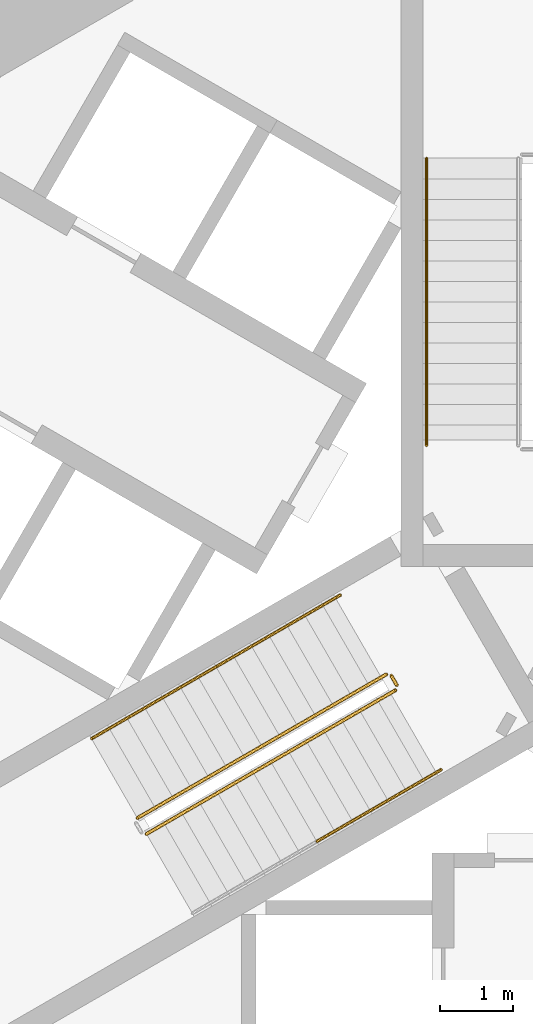
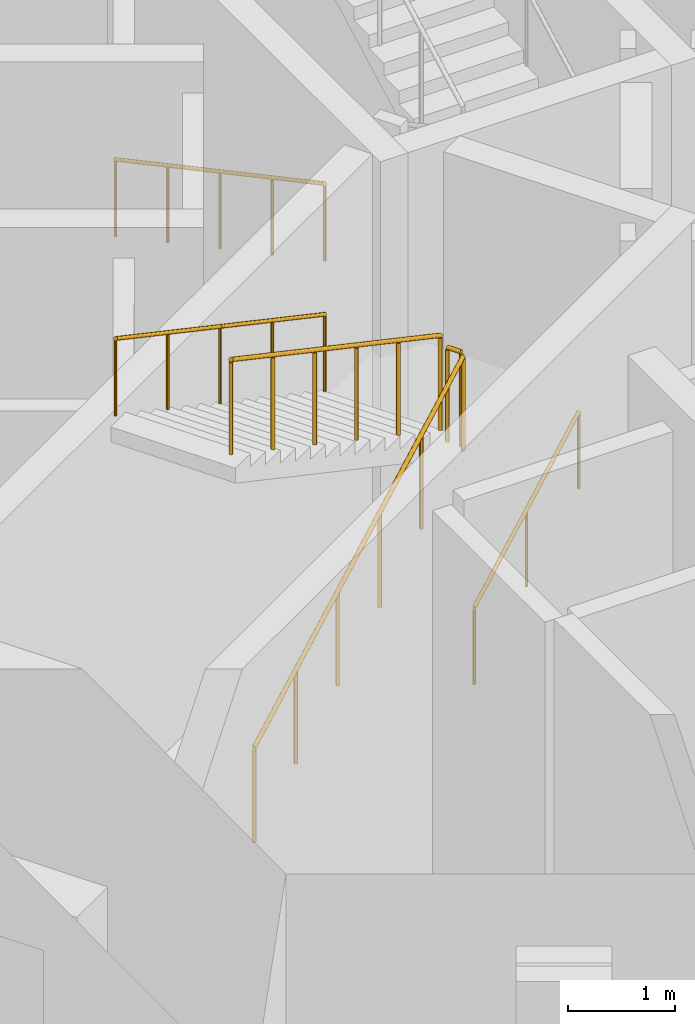
# One storey, part 24 of 28: 7 railings.
"""IFC4 building model written with IfcOpenShell, lengths in metres."""

from ifc_helpers import new_model, si_unit, direction, frame, origin, origin_2d, place, context, subcontext, project, spatial, circle, extrude, material, type_object, element, save


model = new_model("IFC4")

# Units and contexts
model_context = context("Model", 3, precision=1e-05, world=origin(), true_north=direction((0.0, 1.0)))
body_context = subcontext(model_context, "Body", "Model", "MODEL_VIEW")
ifc_project = project(units=[si_unit("LENGTHUNIT", "METRE"), si_unit("AREAUNIT", "SQUARE_METRE"), si_unit("VOLUMEUNIT", "CUBIC_METRE"), si_unit("PLANEANGLEUNIT", "RADIAN"), si_unit("MASSUNIT", "GRAM", prefix="KILO")], contexts=[model_context])

# Site, building, storey
site_placement = place(None, origin())
site = spatial("IfcSite", under=ifc_project, at=site_placement, CompositionType="ELEMENT")
building_placement = place(site_placement, origin())
building = spatial("IfcBuilding", under=site, at=building_placement, Name="Trine Commons Tower", CompositionType="ELEMENT")
storey_placement = place(building_placement, frame((0.0, 0.0, 45.89990234375)))
storey = spatial("IfcBuildingStorey", under=building, at=storey_placement, Name="L10", CompositionType="ELEMENT", Elevation=45.89990234375)

# Railings
ifc_material_1 = material(Name="Stainless steel balustrade", Category="steel")
railing_type_1 = type_object("IfcRailingType", Name="Stair guard, steel balustrade 1100", PredefinedType="GUARDRAIL", material=ifc_material_1)
railing_1_placement = place(storey_placement, frame((74.80517578125, 59.3564453125, 0.150146484375)))
element("IfcRailing", 1, at=railing_1_placement, inside=storey, type_object=railing_type_1, Name="L10 ST2A stair guard 1", PredefinedType="GUARDRAIL", context=body_context, shape_type="SweptSolid", body=[
    extrude(circle(Radius=0.02392578125, at=origin_2d()), frame((0.0, 0.0, 1.076171875), z_axis=(0.763394730363, 0.440743106462, 0.472201228037), x_axis=(-0.499997407846, 0.86602690036, 0.0)), (0.0, 0.0, 1.0), 4.447021484375),
    extrude(circle(Radius=0.02099609375, at=origin_2d()), origin(), (0.0, 0.0, 1.0), 1.052001953125),
    extrude(circle(Radius=0.02099609375, at=origin_2d()), frame((0.678955078125, 0.39208984375, 0.419921875)), (0.0, 0.0, 1.0), 1.052001953125),
    extrude(circle(Radius=0.02099609375, at=origin_2d()), frame((1.35791015625, 0.783935546875, 0.83984375)), (0.0, 0.0, 1.0), 1.052001953125),
    extrude(circle(Radius=0.02099609375, at=origin_2d()), frame((2.036865234375, 1.176025390625, 1.260009765625)), (0.0, 0.0, 1.0), 1.052001953125),
    extrude(circle(Radius=0.02099609375, at=origin_2d()), frame((2.7158203125, 1.56787109375, 1.679931640625)), (0.0, 0.0, 1.0), 1.052001953125),
    extrude(circle(Radius=0.02099609375, at=origin_2d()), frame((3.394775390625, 1.9599609375, 2.099853515625)), (0.0, 0.0, 1.0), 1.052001953125),
])
railing_2_placement = place(storey_placement, frame((78.21826171875, 61.384765625, 2.25)))
element("IfcRailing", 2, at=railing_2_placement, inside=storey, type_object=railing_type_1, Name="L10 ST2A stair guard 2", PredefinedType="GUARDRAIL", context=body_context, shape_type="SweptSolid", body=[
    extrude(circle(Radius=0.02392578125, at=origin_2d()), frame((0.0, 0.0, 1.076171875), z_axis=(-0.499816412211, 0.866131372301, 0.0), x_axis=(-0.866131372301, -0.499816412211, 0.0)), (0.0, 0.0, 1.0), 0.14990234375),
    extrude(circle(Radius=0.02099609375, at=origin_2d()), origin(), (0.0, 0.0, 1.0), 1.052001953125),
    extrude(circle(Radius=0.02099609375, at=origin_2d()), frame((-0.074951171875, 0.1298828125, 0.0)), (0.0, 0.0, 1.0), 1.052001953125),
])
railing_3_placement = place(storey_placement, frame((78.074951171875, 61.532958984375, 2.400146484375)))
element("IfcRailing", 3, at=railing_3_placement, inside=storey, type_object=railing_type_1, Name="L10 ST2A stair guard 3", PredefinedType="GUARDRAIL", context=body_context, shape_type="SweptSolid", body=[
    extrude(circle(Radius=0.02392578125, at=origin_2d()), frame((0.0, 0.0, 1.076171875), z_axis=(-0.763394730363, -0.440743106462, 0.472201228037), x_axis=(0.499997407846, -0.86602690036, 0.0)), (0.0, 0.0, 1.0), 4.447021484375),
    extrude(circle(Radius=0.02099609375, at=origin_2d()), origin(), (0.0, 0.0, 1.0), 1.052001953125),
    extrude(circle(Radius=0.02099609375, at=origin_2d()), frame((-0.678955078125, -0.39208984375, 0.419921875)), (0.0, 0.0, 1.0), 1.052001953125),
    extrude(circle(Radius=0.02099609375, at=origin_2d()), frame((-1.35791015625, -0.783935546875, 0.83984375)), (0.0, 0.0, 1.0), 1.052001953125),
    extrude(circle(Radius=0.02099609375, at=origin_2d()), frame((-2.036865234375, -1.176025390625, 1.260009765625)), (0.0, 0.0, 1.0), 1.052001953125),
    extrude(circle(Radius=0.02099609375, at=origin_2d()), frame((-2.7158203125, -1.56787109375, 1.679931640625)), (0.0, 0.0, 1.0), 1.052001953125),
    extrude(circle(Radius=0.02099609375, at=origin_2d()), frame((-3.394775390625, -1.9599609375, 2.099853515625)), (0.0, 0.0, 1.0), 1.052001953125),
])
ifc_material_2 = material(Name="Stainless steel handrail", Category="steel")
railing_type_2 = type_object("IfcRailingType", Name="Stair handrail, steel 900", PredefinedType="HANDRAIL", material=ifc_material_2)
railing_4_placement = place(storey_placement, frame((78.625, 68.570556640625, 0.150146484375)))
element("IfcRailing", 4, at=railing_4_placement, inside=storey, type_object=railing_type_2, Name="L10 ST1A stair handrail 1", PredefinedType="HANDRAIL", context=body_context, shape_type="SweptSolid", body=[
    extrude(circle(Radius=0.02099609375, at=origin_2d()), frame((0.0, 0.0, 0.87890625), z_axis=(0.0, -0.881489763865, 0.472203130232), x_axis=(1.0, 0.0, 0.0)), (0.0, 0.0, 1.0), 4.447021484375),
    extrude(circle(Radius=0.01513671875, at=origin_2d()), origin(), (0.0, 0.0, 1.0), 0.85791015625),
    extrude(circle(Radius=0.01513671875, at=origin_2d()), frame((0.0, -0.97998046875, 0.52490234375)), (0.0, 0.0, 1.0), 0.85791015625),
    extrude(circle(Radius=0.01513671875, at=origin_2d()), frame((0.0, -1.9599609375, 1.0498046875)), (0.0, 0.0, 1.0), 0.85791015625),
    extrude(circle(Radius=0.01513671875, at=origin_2d()), frame((0.0, -2.93994140625, 1.574951171875)), (0.0, 0.0, 1.0), 0.85791015625),
    extrude(circle(Radius=0.01513671875, at=origin_2d()), frame((0.0, -3.919921875, 2.099853515625)), (0.0, 0.0, 1.0), 0.85791015625),
])
railing_5_placement = place(storey_placement, frame((77.127685546875, 59.25390625, 1.2001953125)))
element("IfcRailing", 5, at=railing_5_placement, inside=storey, type_object=railing_type_2, Name="L10 ST2A stair handrail 2", PredefinedType="HANDRAIL", context=body_context, shape_type="SweptSolid", body=[
    extrude(circle(Radius=0.02099609375, at=origin_2d()), frame((0.0, 0.0, 0.87890625), z_axis=(0.76339161385, 0.440773006041, 0.472178357243), x_axis=(-0.500024377727, 0.866011328839, 0.0)), (0.0, 0.0, 1.0), 2.223388671875),
    extrude(circle(Radius=0.01513671875, at=origin_2d()), origin(), (0.0, 0.0, 1.0), 0.85791015625),
    extrude(circle(Radius=0.01513671875, at=origin_2d()), frame((0.8486328125, 0.489990234375, 0.52490234375)), (0.0, 0.0, 1.0), 0.85791015625),
    extrude(circle(Radius=0.01513671875, at=origin_2d()), frame((1.697265625, 0.97998046875, 1.0498046875)), (0.0, 0.0, 1.0), 0.85791015625),
])
railing_6_placement = place(storey_placement, frame((77.449951171875, 62.615478515625, 2.400146484375)))
element("IfcRailing", 6, at=railing_6_placement, inside=storey, type_object=railing_type_2, Name="L10 ST2A stair handrail 3", PredefinedType="HANDRAIL", context=body_context, shape_type="SweptSolid", body=[
    extrude(circle(Radius=0.02099609375, at=origin_2d()), frame((0.0, 0.0, 0.87890625), z_axis=(-0.763352030933, -0.440750151347, 0.472263677365), x_axis=(0.500024377727, -0.866011328839, 0.0)), (0.0, 0.0, 1.0), 2.223388671875),
    extrude(circle(Radius=0.01513671875, at=origin_2d()), origin(), (0.0, 0.0, 1.0), 0.85791015625),
    extrude(circle(Radius=0.01513671875, at=origin_2d()), frame((-0.8486328125, -0.489990234375, 0.52490234375)), (0.0, 0.0, 1.0), 0.85791015625),
    extrude(circle(Radius=0.01513671875, at=origin_2d()), frame((-1.697265625, -0.97998046875, 1.050048828125)), (0.0, 0.0, 1.0), 0.85791015625),
])
railing_7_placement = place(storey_placement, frame((75.752685546875, 61.635498046875, 3.4501953125)))
element("IfcRailing", 7, at=railing_7_placement, inside=storey, type_object=railing_type_2, Name="L10 ST2A stair handrail 4", PredefinedType="HANDRAIL", context=body_context, shape_type="SweptSolid", body=[
    extrude(circle(Radius=0.02099609375, at=origin_2d()), frame((0.0, 0.0, 0.87890625), z_axis=(-0.763437424022, -0.440736059258, 0.47213877798), x_axis=(0.499970440388, -0.866042469362, 0.0)), (0.0, 0.0, 1.0), 2.223388671875),
    extrude(circle(Radius=0.01513671875, at=origin_2d()), origin(), (0.0, 0.0, 1.0), 0.85791015625),
    extrude(circle(Radius=0.01513671875, at=origin_2d()), frame((-0.8486328125, -0.489990234375, 0.52490234375)), (0.0, 0.0, 1.0), 0.85791015625),
    extrude(circle(Radius=0.01513671875, at=origin_2d()), frame((-1.697509765625, -0.97998046875, 1.0498046875)), (0.0, 0.0, 1.0), 0.85791015625),
])

save(model, "model.ifc")
